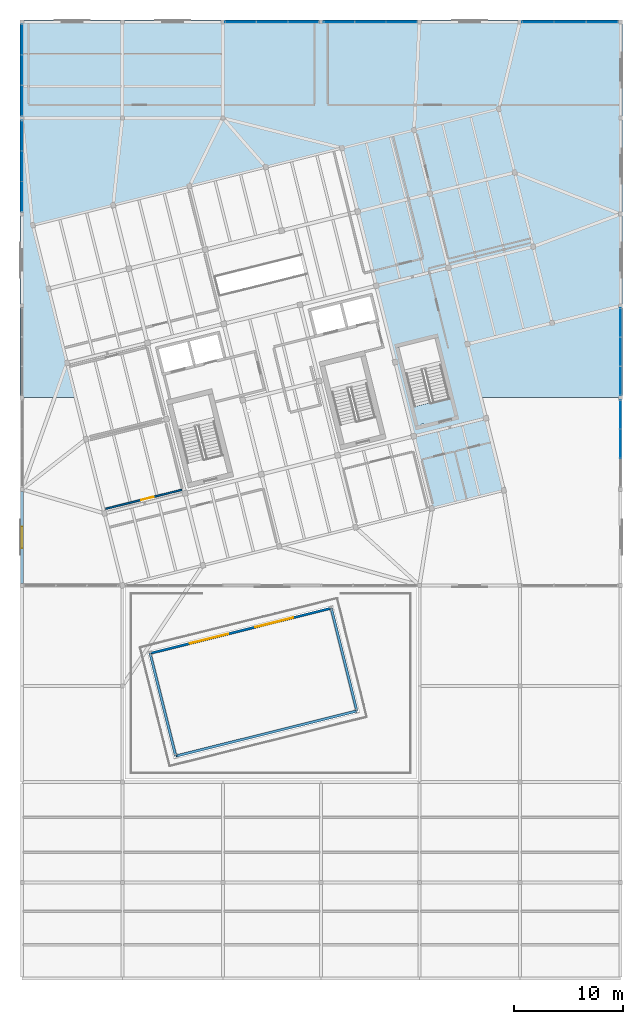
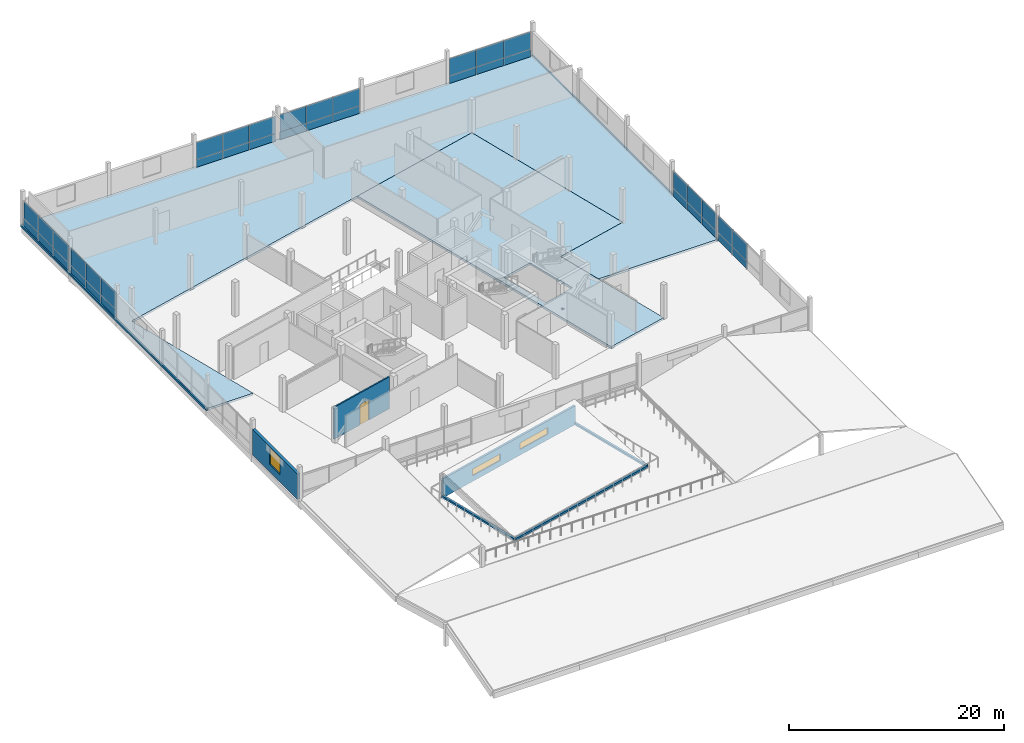
# One storey, part 33 of 39: 40 plates, 6 walls, 4 slabs, 3 windows, 1 door, 4 openings, 7 elements without a shape of their own.
"""IFC4 building model written with IfcOpenShell, lengths in metres."""

import ifcopenshell
import ifcopenshell.guid

model = None  # the IFC model being written
_history = None  # IfcOwnerHistory: only IFC2X3 demands one
_inside = {}  # id of a spatial element -> (the spatial element, [elements in it])
_under = {}  # id of a project, library or spatial element -> (it, [spatial elements below it])
_declared = {}  # id of a project -> (the project, [libraries it declares])
_typed = {}  # id of a type object -> (the type object, [elements of that type])
_made_of = {}  # id of a material, layer set ... -> (it, [elements and type objects made of it])


def new_model(schema):
    """Start an empty IFC model of exactly this schema.

    Asked for "IFC4X3", IfcOpenShell would pick the latest addendum, in which some entities
    have other attributes; the version numbers below select the first issue.
    IFC2X3 requires an IfcOwnerHistory on every rooted entity: one is made here for all.
    """
    global model, _history
    if schema == "IFC4X3":
        model = ifcopenshell.file(schema_version=(4, 3, 0, 0))
    else:
        model = ifcopenshell.file(schema=schema)
    _inside.clear()
    _under.clear()
    _declared.clear()
    _typed.clear()
    _made_of.clear()
    _history = None
    if model.schema == "IFC2X3":
        org = make("IfcOrganization", Name="unknown")
        user = make(
            "IfcPersonAndOrganization",
            ThePerson=make("IfcPerson", FamilyName="unknown"),
            TheOrganization=org,
        )
        app = make(
            "IfcApplication",
            ApplicationDeveloper=org,
            Version="unknown",
            ApplicationFullName="unknown",
            ApplicationIdentifier="unknown",
        )
        _history = make(
            "IfcOwnerHistory",
            OwningUser=user,
            OwningApplication=app,
            ChangeAction="ADDED",
            CreationDate=0,
        )
    return model


def make(cls, **values):
    """One entity of the class cls with the attributes given. An attribute that is None is left unset."""
    return model.create_entity(
        cls, **{name: value for name, value in values.items() if value is not None}
    )


def rooted(cls, **values):
    """An entity with a GlobalId (a new one), such as an element, a storey or a relation."""
    return make(cls, GlobalId=ifcopenshell.guid.new(), OwnerHistory=_history, **values)


def si_unit(unit_type, name, prefix=None):
    """IfcSIUnit, for example si_unit("LENGTHUNIT", "METRE", prefix="MILLI")."""
    return make("IfcSIUnit", UnitType=unit_type, Prefix=prefix, Name=name)


def assignment(units):
    """IfcUnitAssignment: the units of a project."""
    return None if units is None else make("IfcUnitAssignment", Units=units)


def point(xyz):
    """IfcCartesianPoint."""
    return None if xyz is None else make("IfcCartesianPoint", Coordinates=xyz)


def direction(xyz):
    """IfcDirection."""
    return None if xyz is None else make("IfcDirection", DirectionRatios=xyz)


def frame(location, z_axis=None, x_axis=None):
    """IfcAxis2Placement3D, a coordinate frame: its origin and axes. An axis left out is left unset."""
    return make(
        "IfcAxis2Placement3D",
        Location=point(location),
        Axis=direction(z_axis),
        RefDirection=direction(x_axis),
    )


def frame_2d(location, x_axis=None):
    """IfcAxis2Placement2D, a coordinate frame in the plane: its origin and x axis."""
    return make(
        "IfcAxis2Placement2D", Location=point(location), RefDirection=direction(x_axis)
    )


def origin():
    """The frame at (0, 0, 0) with its axes left unset."""
    return frame((0.0, 0.0, 0.0))


def origin_2d():
    """The frame at (0, 0) in the plane with its x axis left unset."""
    return frame_2d((0.0, 0.0))


def place(relative_to, where):
    """IfcLocalPlacement: puts the frame where relative to a parent placement (None: the world)."""
    return make(
        "IfcLocalPlacement", PlacementRelTo=relative_to, RelativePlacement=where
    )


def context(
    kind, dimensions, precision=None, world=None, true_north=None, identifier=None
):
    """IfcGeometricRepresentationContext, for example the 3D "Model" context."""
    return make(
        "IfcGeometricRepresentationContext",
        ContextIdentifier=identifier,
        ContextType=kind,
        CoordinateSpaceDimension=dimensions,
        Precision=precision,
        WorldCoordinateSystem=world,
        TrueNorth=true_north,
    )


def subcontext(parent, identifier, kind, view, scale=None):
    """IfcGeometricRepresentationSubContext, for example "Body" below "Model"."""
    return make(
        "IfcGeometricRepresentationSubContext",
        ContextIdentifier=identifier,
        ContextType=kind,
        ParentContext=parent,
        TargetScale=scale,
        TargetView=view,
    )


def project(units=None, contexts=None):
    """IfcProject with its units and contexts."""
    return rooted(
        "IfcProject",
        Name="project",
        RepresentationContexts=contexts,
        UnitsInContext=assignment(units),
    )


def spatial(cls, under=None, at=None, **own):
    """A site, building, storey or space (cls), placed at a placement, below another one or the project."""
    s = rooted(cls, ObjectPlacement=at, **own)
    if under is not None:
        _under.setdefault(under.id(), (under, []))[1].append(s)
    return s


def polyline(points):
    """IfcPolyline through the points."""
    return make("IfcPolyline", Points=[point(p) for p in points])


def profile(cls, at=None, kind="AREA", **sizes):
    """A parametric profile (cls). Its sizes go by their IFC names, for example OverallWidth=200.0."""
    return make(cls, ProfileType=kind, Position=at, **sizes)


def rectangle(**sizes):
    """IfcRectangleProfileDef."""
    return profile("IfcRectangleProfileDef", **sizes)


def outline(outer, holes=None, kind="AREA"):
    """IfcArbitraryClosedProfileDef: a profile drawn as a closed curve; with holes, ...WithVoids."""
    if holes is None:
        return make("IfcArbitraryClosedProfileDef", ProfileType=kind, OuterCurve=outer)
    return make(
        "IfcArbitraryProfileDefWithVoids",
        ProfileType=kind,
        OuterCurve=outer,
        InnerCurves=holes,
    )


def extrude(swept, where, along, depth):
    """IfcExtrudedAreaSolid: the profile swept, set in the frame where, extruded along a direction by depth."""
    return make(
        "IfcExtrudedAreaSolid",
        SweptArea=swept,
        Position=where,
        ExtrudedDirection=direction(along),
        Depth=depth,
    )


def shape(context_of_items, identifier, shape_type, items):
    """IfcShapeRepresentation: the items that make up one representation, for example the "Body"."""
    return make(
        "IfcShapeRepresentation",
        ContextOfItems=context_of_items,
        RepresentationIdentifier=identifier,
        RepresentationType=shape_type,
        Items=items,
    )


def material(Name=None, Category=None):
    """IfcMaterial."""
    return make("IfcMaterial", Name=Name, Category=Category)


def layer(
    of_material, thickness, ventilated=None, Name=None, Category=None, Priority=None
):
    """IfcMaterialLayer: one layer of a wall or slab, of a material (None: an air gap)."""
    return make(
        "IfcMaterialLayer",
        Material=of_material,
        LayerThickness=thickness,
        IsVentilated=ventilated,
        Name=Name,
        Category=Category,
        Priority=Priority,
    )


def layer_set(layers, Name=None):
    """IfcMaterialLayerSet."""
    return make("IfcMaterialLayerSet", MaterialLayers=layers, LayerSetName=Name)


def made_of(thing, what):
    """Note that an element or type object is made of a material, layer set ...; save() writes the relation."""
    if what is not None:
        _made_of.setdefault(what.id(), (what, []))[1].append(thing)
    return thing


def type_object(cls, material=None, **own):
    """A type object (cls), such as IfcWallType, which elements share."""
    return made_of(rooted(cls, **own), material)


def element(
    cls,
    number,
    at=None,
    inside=None,
    cuts=None,
    type_object=None,
    material=None,
    context=None,
    identifier="Body",
    shape_type=None,
    held_by="IfcProductDefinitionShape",
    body=None,
    shapes=None,
    **own,
):
    """One element of the class cls, such as IfcWall. Its Tag is "e" and its number.

    at: its placement. inside: the storey or other place that contains it. cuts: it is an
    opening in that element (IfcRelVoidsElement). A single representation is given by context,
    identifier, shape_type and body (its items); several are given by shapes. held_by: the class
    of the entity that holds the representations. save() writes the other relations.
    """
    e = rooted(cls, Tag="e%d" % number, ObjectPlacement=at, **own)
    if body is not None:
        shapes = [shape(context, identifier, shape_type, body)]
    if shapes is not None:
        e.Representation = make(held_by, Representations=shapes)
    if inside is not None:
        _inside.setdefault(inside.id(), (inside, []))[1].append(e)
    if cuts is not None:
        rooted(
            "IfcRelVoidsElement", RelatingBuildingElement=cuts, RelatedOpeningElement=e
        )
    if type_object is not None:
        _typed.setdefault(type_object.id(), (type_object, []))[1].append(e)
    return made_of(e, material)


def fill(opening, filler):
    """IfcRelFillsElement: the door or window that sits in an opening."""
    return rooted(
        "IfcRelFillsElement",
        RelatingOpeningElement=opening,
        RelatedBuildingElement=filler,
    )


def aggregate(whole, parts):
    """IfcRelAggregates: a whole, such as a stair, and the parts it consists of."""
    return rooted("IfcRelAggregates", RelatingObject=whole, RelatedObjects=parts)


def save(model, path):
    """Write the relations noted so far, then the file.

    IfcRelAggregates (storeys below a building ...), IfcRelContainedInSpatialStructure (elements
    in a storey), IfcRelDefinesByType, IfcRelAssociatesMaterial and IfcRelDeclares: one each for
    every whole, place, type object, material and project.
    """
    for whole, parts in _under.values():
        aggregate(whole, parts)
    for where, things in _inside.values():
        rooted(
            "IfcRelContainedInSpatialStructure",
            RelatedElements=things,
            RelatingStructure=where,
        )
    for kind, things in _typed.values():
        rooted("IfcRelDefinesByType", RelatedObjects=things, RelatingType=kind)
    for what, things in _made_of.values():
        rooted("IfcRelAssociatesMaterial", RelatedObjects=things, RelatingMaterial=what)
    for by, libraries in _declared.values():
        rooted("IfcRelDeclares", RelatingContext=by, RelatedDefinitions=libraries)
    model.write(path)


model = new_model("IFC4")

# Units and contexts
model_context = context("Model", 3, precision=1e-05, world=origin(), true_north=direction((0.0, 1.0)))
body_context = subcontext(model_context, "Body", "Model", "MODEL_VIEW")
ifc_project = project(units=[si_unit("LENGTHUNIT", "METRE"), si_unit("AREAUNIT", "SQUARE_METRE"), si_unit("VOLUMEUNIT", "CUBIC_METRE"), si_unit("PLANEANGLEUNIT", "RADIAN"), si_unit("MASSUNIT", "GRAM", prefix="KILO")], contexts=[model_context])

# Site, building, storey
site_placement = place(None, origin())
site = spatial("IfcSite", under=ifc_project, at=site_placement, CompositionType="ELEMENT")
building_placement = place(site_placement, origin())
building = spatial("IfcBuilding", under=site, at=building_placement, Name="Meriwether Solvik Hall", CompositionType="ELEMENT")
storey_placement = place(building_placement, frame((0.0, 0.0, 22.199951171875)))
storey = spatial("IfcBuildingStorey", under=building, at=storey_placement, Name="L05", CompositionType="ELEMENT", Elevation=22.199951171875)

# Curtain wall, plates
ifc_material_1 = material(Name="Thermally Broken Anodised Aluminium 6063-T6 and Low-E Glass", Category="aluminium")
ifc_layer_1 = layer(ifc_material_1, 0.179931640625)
ifc_layer_set_1 = layer_set([ifc_layer_1], Name="Thermally Broken Anodised Aluminium 6063-T6 and Low-E Glass")
curtain_wall_type = type_object("IfcCurtainWallType", Name="CW-UNIT-E", PredefinedType="USERDEFINED", material=ifc_layer_set_1)
curtain_wall_1_placement = place(storey_placement, origin())
curtain_wall_1 = element("IfcCurtainWall", 1, at=curtain_wall_1_placement, inside=storey, type_object=curtain_wall_type, Name="Curtain Wall wing_XK_9_8 (L05)", ObjectType="UNITISED CURTAIN WALL", PredefinedType="USERDEFINED")
ifc_material_2 = material(Name="Low-Emissivity Double-Glazed Laminated Glass", Category="glass")
ifc_layer_2 = layer(ifc_material_2, 0.031982421875)
ifc_layer_set_2 = layer_set([ifc_layer_2], Name="Low-Emissivity Double-Glazed Laminated Glass")
plate_type_1 = type_object("IfcPlateType", Name="PLT-GLZ-225X195", PredefinedType="CURTAIN_PANEL", material=ifc_layer_set_2)
plate_1_placement = place(storey_placement, frame((79.44873046875, 92.800048828125, 0.864013671875), z_axis=(0.0, 0.0, 1.0), x_axis=(1.0, 0.0, 0.0)))
plate_1 = element("IfcPlate", 2, at=plate_1_placement, type_object=plate_type_1, Name="Low-E Vision Glazing Panel 1", PredefinedType="CURTAIN_PANEL", context=body_context, shape_type="SweptSolid", body=[
    extrude(rectangle(XDim=2.82421875, YDim=0.033935546875, at=origin_2d()), origin(), (0.0, 0.0, 1.0), 1.9560546875),
])
plate_2_placement = place(storey_placement, frame((82.300048828125, 92.800048828125, 0.864013671875), z_axis=(0.0, 0.0, 1.0), x_axis=(1.0, 0.0, 0.0)))
plate_2 = element("IfcPlate", 3, at=plate_2_placement, type_object=plate_type_1, Name="Low-E Vision Glazing Panel 2", PredefinedType="CURTAIN_PANEL", context=body_context, shape_type="SweptSolid", body=[
    extrude(rectangle(XDim=2.8623046875, YDim=0.033935546875, at=origin_2d()), origin(), (0.0, 0.0, 1.0), 1.9560546875),
])
plate_3_placement = place(storey_placement, frame((85.1513671875, 92.800048828125, 0.864013671875), z_axis=(0.0, 0.0, 1.0), x_axis=(1.0, 0.0, 0.0)))
plate_3 = element("IfcPlate", 4, at=plate_3_placement, type_object=plate_type_1, Name="Low-E Vision Glazing Panel 3", PredefinedType="CURTAIN_PANEL", context=body_context, shape_type="SweptSolid", body=[
    extrude(rectangle(XDim=2.82421875, YDim=0.033935546875, at=origin_2d()), origin(), (0.0, 0.0, 1.0), 1.9560546875),
])

curtain_wall_2_placement = place(storey_placement, origin())
curtain_wall_2 = element("IfcCurtainWall", 5, at=curtain_wall_2_placement, inside=storey, type_object=curtain_wall_type, Name="Curtain Wall wing_XK_10_9 (L05)", ObjectType="UNITISED CURTAIN WALL", PredefinedType="USERDEFINED")
plate_4_placement = place(storey_placement, frame((88.44873046875, 92.800048828125, 0.864013671875), z_axis=(0.0, 0.0, 1.0), x_axis=(1.0, 0.0, 0.0)))
plate_4 = element("IfcPlate", 6, at=plate_4_placement, type_object=plate_type_1, Name="Low-E Vision Glazing Panel 1", PredefinedType="CURTAIN_PANEL", context=body_context, shape_type="SweptSolid", body=[
    extrude(rectangle(XDim=2.82421875, YDim=0.033935546875, at=origin_2d()), origin(), (0.0, 0.0, 1.0), 1.9560546875),
])
plate_5_placement = place(storey_placement, frame((91.300048828125, 92.800048828125, 0.864013671875), z_axis=(0.0, 0.0, 1.0), x_axis=(1.0, 0.0, 0.0)))
plate_5 = element("IfcPlate", 7, at=plate_5_placement, type_object=plate_type_1, Name="Low-E Vision Glazing Panel 2", PredefinedType="CURTAIN_PANEL", context=body_context, shape_type="SweptSolid", body=[
    extrude(rectangle(XDim=2.8623046875, YDim=0.033935546875, at=origin_2d()), origin(), (0.0, 0.0, 1.0), 1.9560546875),
])
plate_6_placement = place(storey_placement, frame((94.1513671875, 92.800048828125, 0.864013671875), z_axis=(0.0, 0.0, 1.0), x_axis=(1.0, 0.0, 0.0)))
plate_6 = element("IfcPlate", 8, at=plate_6_placement, type_object=plate_type_1, Name="Low-E Vision Glazing Panel 3", PredefinedType="CURTAIN_PANEL", context=body_context, shape_type="SweptSolid", body=[
    extrude(rectangle(XDim=2.82421875, YDim=0.033935546875, at=origin_2d()), origin(), (0.0, 0.0, 1.0), 1.9560546875),
])

curtain_wall_3_placement = place(storey_placement, origin())
curtain_wall_3 = element("IfcCurtainWall", 9, at=curtain_wall_3_placement, inside=storey, type_object=curtain_wall_type, Name="Curtain Wall wing_XK_12_11 (L05)", ObjectType="UNITISED CURTAIN WALL", PredefinedType="USERDEFINED")
plate_7_placement = place(storey_placement, frame((106.681884765625, 92.800048828125, 0.864013671875), z_axis=(0.0, 0.0, 1.0), x_axis=(1.0, 0.0, 0.0)))
plate_7 = element("IfcPlate", 10, at=plate_7_placement, type_object=plate_type_1, Name="Low-E Vision Glazing Panel 1", PredefinedType="CURTAIN_PANEL", context=body_context, shape_type="SweptSolid", body=[
    extrude(rectangle(XDim=2.89111328125, YDim=0.033935546875, at=origin_2d()), origin(), (0.0, 0.0, 1.0), 1.9560546875),
])
plate_8_placement = place(storey_placement, frame((109.60009765625, 92.800048828125, 0.864013671875), z_axis=(0.0, 0.0, 1.0), x_axis=(1.0, 0.0, 0.0)))
plate_8 = element("IfcPlate", 11, at=plate_8_placement, type_object=plate_type_1, Name="Low-E Vision Glazing Panel 2", PredefinedType="CURTAIN_PANEL", context=body_context, shape_type="SweptSolid", body=[
    extrude(rectangle(XDim=2.928955078125, YDim=0.033935546875, at=origin_2d()), origin(), (0.0, 0.0, 1.0), 1.9560546875),
])
plate_9_placement = place(storey_placement, frame((112.51806640625, 92.800048828125, 0.864013671875), z_axis=(0.0, 0.0, 1.0), x_axis=(1.0, 0.0, 0.0)))
plate_9 = element("IfcPlate", 12, at=plate_9_placement, type_object=plate_type_1, Name="Low-E Vision Glazing Panel 3", PredefinedType="CURTAIN_PANEL", context=body_context, shape_type="SweptSolid", body=[
    extrude(rectangle(XDim=2.89111328125, YDim=0.033935546875, at=origin_2d()), origin(), (0.0, 0.0, 1.0), 1.9560546875),
])

curtain_wall_4_placement = place(storey_placement, origin())
curtain_wall_4 = element("IfcCurtainWall", 13, at=curtain_wall_4_placement, inside=storey, type_object=curtain_wall_type, Name="Curtain Wall wing_Y7_9_16 (L05)", ObjectType="UNITISED CURTAIN WALL", PredefinedType="USERDEFINED")
plate_10_placement = place(storey_placement, frame((59.39990234375, 76.8154296875, 0.864013671875), z_axis=(0.0, 0.0, 1.0), x_axis=(0.0, 1.0, 0.0)))
plate_10 = element("IfcPlate", 14, at=plate_10_placement, type_object=plate_type_1, Name="Low-E Vision Glazing Panel 1", PredefinedType="CURTAIN_PANEL", context=body_context, shape_type="SweptSolid", body=[
    extrude(rectangle(XDim=2.7578125, YDim=0.033935546875, at=origin_2d()), origin(), (0.0, 0.0, 1.0), 1.9560546875),
])
plate_11_placement = place(storey_placement, frame((59.39990234375, 79.60009765625, 0.864013671875), z_axis=(0.0, 0.0, 1.0), x_axis=(0.0, 1.0, 0.0)))
plate_11 = element("IfcPlate", 15, at=plate_11_placement, type_object=plate_type_1, Name="Low-E Vision Glazing Panel 2", PredefinedType="CURTAIN_PANEL", context=body_context, shape_type="SweptSolid", body=[
    extrude(rectangle(XDim=2.795654296875, YDim=0.033935546875, at=origin_2d()), origin(), (0.0, 0.0, 1.0), 1.9560546875),
])
plate_12_placement = place(storey_placement, frame((59.39990234375, 82.384765625, 0.864013671875), z_axis=(0.0, 0.0, 1.0), x_axis=(0.0, 1.0, 0.0)))
plate_12 = element("IfcPlate", 16, at=plate_12_placement, type_object=plate_type_1, Name="Low-E Vision Glazing Panel 3", PredefinedType="CURTAIN_PANEL", context=body_context, shape_type="SweptSolid", body=[
    extrude(rectangle(XDim=2.7578125, YDim=0.033935546875, at=origin_2d()), origin(), (0.0, 0.0, 1.0), 1.9560546875),
])

curtain_wall_5_placement = place(storey_placement, origin())
curtain_wall_5 = element("IfcCurtainWall", 17, at=curtain_wall_5_placement, inside=storey, type_object=curtain_wall_type, Name="Curtain Wall wing_Y7_10_17 (L05)", ObjectType="UNITISED CURTAIN WALL", PredefinedType="USERDEFINED")
plate_13_placement = place(storey_placement, frame((59.39990234375, 85.615234375, 0.864013671875), z_axis=(0.0, 0.0, 1.0), x_axis=(0.0, 1.0, 0.0)))
plate_13 = element("IfcPlate", 18, at=plate_13_placement, type_object=plate_type_1, Name="Low-E Vision Glazing Panel 1", PredefinedType="CURTAIN_PANEL", context=body_context, shape_type="SweptSolid", body=[
    extrude(rectangle(XDim=2.7578125, YDim=0.033935546875, at=origin_2d()), origin(), (0.0, 0.0, 1.0), 1.9560546875),
])
plate_14_placement = place(storey_placement, frame((59.39990234375, 88.39990234375, 0.864013671875), z_axis=(0.0, 0.0, 1.0), x_axis=(0.0, 1.0, 0.0)))
plate_14 = element("IfcPlate", 19, at=plate_14_placement, type_object=plate_type_1, Name="Low-E Vision Glazing Panel 2", PredefinedType="CURTAIN_PANEL", context=body_context, shape_type="SweptSolid", body=[
    extrude(rectangle(XDim=2.795654296875, YDim=0.033935546875, at=origin_2d()), origin(), (0.0, 0.0, 1.0), 1.9560546875),
])
plate_15_placement = place(storey_placement, frame((59.39990234375, 91.1845703125, 0.864013671875), z_axis=(0.0, 0.0, 1.0), x_axis=(0.0, 1.0, 0.0)))
plate_15 = element("IfcPlate", 20, at=plate_15_placement, type_object=plate_type_1, Name="Low-E Vision Glazing Panel 3", PredefinedType="CURTAIN_PANEL", context=body_context, shape_type="SweptSolid", body=[
    extrude(rectangle(XDim=2.7578125, YDim=0.033935546875, at=origin_2d()), origin(), (0.0, 0.0, 1.0), 1.9560546875),
])

curtain_wall_6_placement = place(storey_placement, origin())
curtain_wall_6 = element("IfcCurtainWall", 21, at=curtain_wall_6_placement, inside=storey, type_object=curtain_wall_type, Name="Curtain Wall wing_Y13_6_19 (L05)", ObjectType="UNITISED CURTAIN WALL", PredefinedType="USERDEFINED")
plate_16_placement = place(storey_placement, frame((114.199951171875, 56.851318359375, 0.864013671875), z_axis=(0.0, 0.0, 1.0), x_axis=(0.0, -1.0, 0.0)))
plate_16 = element("IfcPlate", 22, at=plate_16_placement, type_object=plate_type_1, Name="Low-E Vision Glazing Panel 1", PredefinedType="CURTAIN_PANEL", context=body_context, shape_type="SweptSolid", body=[
    extrude(rectangle(XDim=2.624267578125, YDim=0.033935546875, at=origin_2d()), origin(), (0.0, 0.0, 1.0), 1.9560546875),
])
plate_17_placement = place(storey_placement, frame((114.199951171875, 54.199951171875, 0.864013671875), z_axis=(0.0, 0.0, 1.0), x_axis=(0.0, -1.0, 0.0)))
plate_17 = element("IfcPlate", 23, at=plate_17_placement, type_object=plate_type_1, Name="Low-E Vision Glazing Panel 2", PredefinedType="CURTAIN_PANEL", context=body_context, shape_type="SweptSolid", body=[
    extrude(rectangle(XDim=2.662353515625, YDim=0.033935546875, at=origin_2d()), origin(), (0.0, 0.0, 1.0), 1.9560546875),
])

curtain_wall_7_placement = place(storey_placement, origin())
curtain_wall_7 = element("IfcCurtainWall", 24, at=curtain_wall_7_placement, inside=storey, type_object=curtain_wall_type, Name="Curtain Wall wing_Y13_7_20 (L05)", ObjectType="UNITISED CURTAIN WALL", PredefinedType="USERDEFINED")
plate_18_placement = place(storey_placement, frame((114.199951171875, 65.251220703125, 0.864013671875), z_axis=(0.0, 0.0, 1.0), x_axis=(0.0, -1.0, 0.0)))
plate_18 = element("IfcPlate", 25, at=plate_18_placement, type_object=plate_type_1, Name="Low-E Vision Glazing Panel 1", PredefinedType="CURTAIN_PANEL", context=body_context, shape_type="SweptSolid", body=[
    extrude(rectangle(XDim=2.624267578125, YDim=0.033935546875, at=origin_2d()), origin(), (0.0, 0.0, 1.0), 1.9560546875),
])
plate_19_placement = place(storey_placement, frame((114.199951171875, 62.60009765625, 0.864013671875), z_axis=(0.0, 0.0, 1.0), x_axis=(0.0, -1.0, 0.0)))
plate_19 = element("IfcPlate", 26, at=plate_19_placement, type_object=plate_type_1, Name="Low-E Vision Glazing Panel 2", PredefinedType="CURTAIN_PANEL", context=body_context, shape_type="SweptSolid", body=[
    extrude(rectangle(XDim=2.662353515625, YDim=0.033935546875, at=origin_2d()), origin(), (0.0, 0.0, 1.0), 1.9560546875),
])
plate_20_placement = place(storey_placement, frame((114.199951171875, 59.94873046875, 0.864013671875), z_axis=(0.0, 0.0, 1.0), x_axis=(0.0, -1.0, 0.0)))
plate_20 = element("IfcPlate", 27, at=plate_20_placement, type_object=plate_type_1, Name="Low-E Vision Glazing Panel 3", PredefinedType="CURTAIN_PANEL", context=body_context, shape_type="SweptSolid", body=[
    extrude(rectangle(XDim=2.624267578125, YDim=0.033935546875, at=origin_2d()), origin(), (0.0, 0.0, 1.0), 1.9560546875),
])

# Plate
ifc_material_3 = material(Name="Mineral-Wool Insulated Anodised Aluminium 6063-T6", Category="aluminium")
ifc_layer_3 = layer(ifc_material_3, 0.044921875)
ifc_layer_set_3 = layer_set([ifc_layer_3], Name="Mineral-Wool Insulated Anodised Aluminium 6063-T6")
plate_type_2 = type_object("IfcPlateType", Name="PLT-SPN-225X085", PredefinedType="CURTAIN_PANEL", material=ifc_layer_set_3)
plate_21_placement = place(storey_placement, frame((79.44873046875, 92.800048828125, 0.0), z_axis=(0.0, 0.0, 1.0), x_axis=(1.0, 0.0, 0.0)))
plate_21 = element("IfcPlate", 28, at=plate_21_placement, type_object=plate_type_2, Name="Insulated Spandrel Panel 1", PredefinedType="CURTAIN_PANEL", context=body_context, shape_type="SweptSolid", body=[
    extrude(rectangle(XDim=2.82421875, YDim=0.044921875, at=origin_2d()), origin(), (0.0, 0.0, 1.0), 0.864013671875),
])

plate_22_placement = place(storey_placement, frame((82.300048828125, 92.800048828125, 0.0), z_axis=(0.0, 0.0, 1.0), x_axis=(1.0, 0.0, 0.0)))
plate_22 = element("IfcPlate", 29, at=plate_22_placement, type_object=plate_type_2, Name="Insulated Spandrel Panel 2", PredefinedType="CURTAIN_PANEL", context=body_context, shape_type="SweptSolid", body=[
    extrude(rectangle(XDim=2.8623046875, YDim=0.044921875, at=origin_2d()), origin(), (0.0, 0.0, 1.0), 0.864013671875),
])

plate_23_placement = place(storey_placement, frame((85.1513671875, 92.800048828125, 0.0), z_axis=(0.0, 0.0, 1.0), x_axis=(1.0, 0.0, 0.0)))
plate_23 = element("IfcPlate", 30, at=plate_23_placement, type_object=plate_type_2, Name="Insulated Spandrel Panel 3", PredefinedType="CURTAIN_PANEL", context=body_context, shape_type="SweptSolid", body=[
    extrude(rectangle(XDim=2.82421875, YDim=0.044921875, at=origin_2d()), origin(), (0.0, 0.0, 1.0), 0.864013671875),
])

aggregate(curtain_wall_1, [plate_21, plate_1, plate_22, plate_2, plate_23, plate_3])

plate_24_placement = place(storey_placement, frame((88.44873046875, 92.800048828125, 0.0), z_axis=(0.0, 0.0, 1.0), x_axis=(1.0, 0.0, 0.0)))
plate_24 = element("IfcPlate", 31, at=plate_24_placement, type_object=plate_type_2, Name="Insulated Spandrel Panel 1", PredefinedType="CURTAIN_PANEL", context=body_context, shape_type="SweptSolid", body=[
    extrude(rectangle(XDim=2.82421875, YDim=0.044921875, at=origin_2d()), origin(), (0.0, 0.0, 1.0), 0.864013671875),
])

plate_25_placement = place(storey_placement, frame((91.300048828125, 92.800048828125, 0.0), z_axis=(0.0, 0.0, 1.0), x_axis=(1.0, 0.0, 0.0)))
plate_25 = element("IfcPlate", 32, at=plate_25_placement, type_object=plate_type_2, Name="Insulated Spandrel Panel 2", PredefinedType="CURTAIN_PANEL", context=body_context, shape_type="SweptSolid", body=[
    extrude(rectangle(XDim=2.8623046875, YDim=0.044921875, at=origin_2d()), origin(), (0.0, 0.0, 1.0), 0.864013671875),
])

plate_26_placement = place(storey_placement, frame((94.1513671875, 92.800048828125, 0.0), z_axis=(0.0, 0.0, 1.0), x_axis=(1.0, 0.0, 0.0)))
plate_26 = element("IfcPlate", 33, at=plate_26_placement, type_object=plate_type_2, Name="Insulated Spandrel Panel 3", PredefinedType="CURTAIN_PANEL", context=body_context, shape_type="SweptSolid", body=[
    extrude(rectangle(XDim=2.82421875, YDim=0.044921875, at=origin_2d()), origin(), (0.0, 0.0, 1.0), 0.864013671875),
])

aggregate(curtain_wall_2, [plate_24, plate_4, plate_25, plate_5, plate_26, plate_6])

plate_27_placement = place(storey_placement, frame((106.681884765625, 92.800048828125, 0.0), z_axis=(0.0, 0.0, 1.0), x_axis=(1.0, 0.0, 0.0)))
plate_27 = element("IfcPlate", 34, at=plate_27_placement, type_object=plate_type_2, Name="Insulated Spandrel Panel 1", PredefinedType="CURTAIN_PANEL", context=body_context, shape_type="SweptSolid", body=[
    extrude(rectangle(XDim=2.89111328125, YDim=0.044921875, at=origin_2d()), origin(), (0.0, 0.0, 1.0), 0.864013671875),
])

plate_28_placement = place(storey_placement, frame((109.60009765625, 92.800048828125, 0.0), z_axis=(0.0, 0.0, 1.0), x_axis=(1.0, 0.0, 0.0)))
plate_28 = element("IfcPlate", 35, at=plate_28_placement, type_object=plate_type_2, Name="Insulated Spandrel Panel 2", PredefinedType="CURTAIN_PANEL", context=body_context, shape_type="SweptSolid", body=[
    extrude(rectangle(XDim=2.928955078125, YDim=0.044921875, at=origin_2d()), origin(), (0.0, 0.0, 1.0), 0.864013671875),
])

plate_29_placement = place(storey_placement, frame((112.51806640625, 92.800048828125, 0.0), z_axis=(0.0, 0.0, 1.0), x_axis=(1.0, 0.0, 0.0)))
plate_29 = element("IfcPlate", 36, at=plate_29_placement, type_object=plate_type_2, Name="Insulated Spandrel Panel 3", PredefinedType="CURTAIN_PANEL", context=body_context, shape_type="SweptSolid", body=[
    extrude(rectangle(XDim=2.89111328125, YDim=0.044921875, at=origin_2d()), origin(), (0.0, 0.0, 1.0), 0.864013671875),
])

aggregate(curtain_wall_3, [plate_27, plate_7, plate_28, plate_8, plate_29, plate_9])

plate_30_placement = place(storey_placement, frame((59.39990234375, 76.8154296875, 0.0), z_axis=(0.0, 0.0, 1.0), x_axis=(0.0, 1.0, 0.0)))
plate_30 = element("IfcPlate", 37, at=plate_30_placement, type_object=plate_type_2, Name="Insulated Spandrel Panel 1", PredefinedType="CURTAIN_PANEL", context=body_context, shape_type="SweptSolid", body=[
    extrude(rectangle(XDim=2.7578125, YDim=0.044921875, at=origin_2d()), origin(), (0.0, 0.0, 1.0), 0.864013671875),
])

plate_31_placement = place(storey_placement, frame((59.39990234375, 79.60009765625, 0.0), z_axis=(0.0, 0.0, 1.0), x_axis=(0.0, 1.0, 0.0)))
plate_31 = element("IfcPlate", 38, at=plate_31_placement, type_object=plate_type_2, Name="Insulated Spandrel Panel 2", PredefinedType="CURTAIN_PANEL", context=body_context, shape_type="SweptSolid", body=[
    extrude(rectangle(XDim=2.795654296875, YDim=0.044921875, at=origin_2d()), origin(), (0.0, 0.0, 1.0), 0.864013671875),
])

plate_32_placement = place(storey_placement, frame((59.39990234375, 82.384765625, 0.0), z_axis=(0.0, 0.0, 1.0), x_axis=(0.0, 1.0, 0.0)))
plate_32 = element("IfcPlate", 39, at=plate_32_placement, type_object=plate_type_2, Name="Insulated Spandrel Panel 3", PredefinedType="CURTAIN_PANEL", context=body_context, shape_type="SweptSolid", body=[
    extrude(rectangle(XDim=2.7578125, YDim=0.044921875, at=origin_2d()), origin(), (0.0, 0.0, 1.0), 0.864013671875),
])

aggregate(curtain_wall_4, [plate_30, plate_10, plate_31, plate_11, plate_32, plate_12])

plate_33_placement = place(storey_placement, frame((59.39990234375, 85.615234375, 0.0), z_axis=(0.0, 0.0, 1.0), x_axis=(0.0, 1.0, 0.0)))
plate_33 = element("IfcPlate", 40, at=plate_33_placement, type_object=plate_type_2, Name="Insulated Spandrel Panel 1", PredefinedType="CURTAIN_PANEL", context=body_context, shape_type="SweptSolid", body=[
    extrude(rectangle(XDim=2.7578125, YDim=0.044921875, at=origin_2d()), origin(), (0.0, 0.0, 1.0), 0.864013671875),
])

plate_34_placement = place(storey_placement, frame((59.39990234375, 88.39990234375, 0.0), z_axis=(0.0, 0.0, 1.0), x_axis=(0.0, 1.0, 0.0)))
plate_34 = element("IfcPlate", 41, at=plate_34_placement, type_object=plate_type_2, Name="Insulated Spandrel Panel 2", PredefinedType="CURTAIN_PANEL", context=body_context, shape_type="SweptSolid", body=[
    extrude(rectangle(XDim=2.795654296875, YDim=0.044921875, at=origin_2d()), origin(), (0.0, 0.0, 1.0), 0.864013671875),
])

plate_35_placement = place(storey_placement, frame((59.39990234375, 91.1845703125, 0.0), z_axis=(0.0, 0.0, 1.0), x_axis=(0.0, 1.0, 0.0)))
plate_35 = element("IfcPlate", 42, at=plate_35_placement, type_object=plate_type_2, Name="Insulated Spandrel Panel 3", PredefinedType="CURTAIN_PANEL", context=body_context, shape_type="SweptSolid", body=[
    extrude(rectangle(XDim=2.7578125, YDim=0.044921875, at=origin_2d()), origin(), (0.0, 0.0, 1.0), 0.864013671875),
])

aggregate(curtain_wall_5, [plate_33, plate_13, plate_34, plate_14, plate_35, plate_15])

plate_36_placement = place(storey_placement, frame((114.199951171875, 56.851318359375, 0.0), z_axis=(0.0, 0.0, 1.0), x_axis=(0.0, -1.0, 0.0)))
plate_36 = element("IfcPlate", 43, at=plate_36_placement, type_object=plate_type_2, Name="Insulated Spandrel Panel 1", PredefinedType="CURTAIN_PANEL", context=body_context, shape_type="SweptSolid", body=[
    extrude(rectangle(XDim=2.624267578125, YDim=0.044921875, at=origin_2d()), origin(), (0.0, 0.0, 1.0), 0.864013671875),
])

plate_37_placement = place(storey_placement, frame((114.199951171875, 54.199951171875, 0.0), z_axis=(0.0, 0.0, 1.0), x_axis=(0.0, -1.0, 0.0)))
plate_37 = element("IfcPlate", 44, at=plate_37_placement, type_object=plate_type_2, Name="Insulated Spandrel Panel 2", PredefinedType="CURTAIN_PANEL", context=body_context, shape_type="SweptSolid", body=[
    extrude(rectangle(XDim=2.662353515625, YDim=0.044921875, at=origin_2d()), origin(), (0.0, 0.0, 1.0), 0.864013671875),
])

aggregate(curtain_wall_6, [plate_36, plate_16, plate_37, plate_17])

plate_38_placement = place(storey_placement, frame((114.199951171875, 65.251220703125, 0.0), z_axis=(0.0, 0.0, 1.0), x_axis=(0.0, -1.0, 0.0)))
plate_38 = element("IfcPlate", 45, at=plate_38_placement, type_object=plate_type_2, Name="Insulated Spandrel Panel 1", PredefinedType="CURTAIN_PANEL", context=body_context, shape_type="SweptSolid", body=[
    extrude(rectangle(XDim=2.624267578125, YDim=0.044921875, at=origin_2d()), origin(), (0.0, 0.0, 1.0), 0.864013671875),
])

plate_39_placement = place(storey_placement, frame((114.199951171875, 62.60009765625, 0.0), z_axis=(0.0, 0.0, 1.0), x_axis=(0.0, -1.0, 0.0)))
plate_39 = element("IfcPlate", 46, at=plate_39_placement, type_object=plate_type_2, Name="Insulated Spandrel Panel 2", PredefinedType="CURTAIN_PANEL", context=body_context, shape_type="SweptSolid", body=[
    extrude(rectangle(XDim=2.662353515625, YDim=0.044921875, at=origin_2d()), origin(), (0.0, 0.0, 1.0), 0.864013671875),
])

plate_40_placement = place(storey_placement, frame((114.199951171875, 59.94873046875, 0.0), z_axis=(0.0, 0.0, 1.0), x_axis=(0.0, -1.0, 0.0)))
plate_40 = element("IfcPlate", 47, at=plate_40_placement, type_object=plate_type_2, Name="Insulated Spandrel Panel 3", PredefinedType="CURTAIN_PANEL", context=body_context, shape_type="SweptSolid", body=[
    extrude(rectangle(XDim=2.624267578125, YDim=0.044921875, at=origin_2d()), origin(), (0.0, 0.0, 1.0), 0.864013671875),
])

aggregate(curtain_wall_7, [plate_38, plate_18, plate_39, plate_19, plate_40, plate_20])

# Slabs
ifc_material_4 = material(Name="Cross-Laminated Timber PRG 320 E1", Category="wood")
ifc_layer_4 = layer(ifc_material_4, 0.2451171875)
ifc_layer_set_4 = layer_set([ifc_layer_4], Name="Cross-Laminated Timber PRG 320 E1")
slab_type = type_object("IfcSlabType", Name="SLB-CLT-245", PredefinedType="FLOOR", material=ifc_layer_set_4)
slab_1_placement = place(storey_placement, frame((0.0, 0.0, -0.244873046875)))
element("IfcSlab", 48, at=slab_1_placement, inside=storey, type_object=slab_type, Name="L05 Structural Slab Zone 2", PredefinedType="FLOOR", context=body_context, shape_type="SweptSolid", body=[
    extrude(outline(polyline([(59.239990234375, 58.403076171875), (59.239990234375, 92.9599609375), (59.39697265625, 92.9599609375), (59.39697265625, 58.403076171875), (59.239990234375, 58.403076171875)])), origin(), (0.0, 0.0, 1.0), 0.244873046875),
])
slab_2_placement = place(storey_placement, frame((0.0, 0.0, -0.244873046875)))
element("IfcSlab", 49, at=slab_2_placement, inside=storey, type_object=slab_type, Name="L05 Structural Slab Zone 4", PredefinedType="FLOOR", context=body_context, shape_type="SweptSolid", body=[
    extrude(outline(polyline([(101.413818359375, 58.403076171875), (100.193359375, 63.298583984375), (107.955810546875, 65.23388671875), (103.068359375, 84.8359375), (60.37353515625, 74.190673828125), (64.309814453125, 58.403076171875), (59.403076171875, 58.403076171875), (59.403076171875, 92.9599609375), (114.197021484375, 92.9599609375), (114.197021484375, 58.403076171875), (101.413818359375, 58.403076171875)])), origin(), (0.0, 0.0, 1.0), 0.244873046875),
])
slab_3_placement = place(storey_placement, frame((0.0, 0.0, -0.244873046875)))
element("IfcSlab", 50, at=slab_3_placement, inside=storey, type_object=slab_type, Name="L05 Structural Slab Zone 6", PredefinedType="FLOOR", context=body_context, shape_type="SweptSolid", body=[
    extrude(outline(polyline([(114.202880859375, 92.9599609375), (114.360107421875, 92.9599609375), (114.360107421875, 58.403076171875), (114.202880859375, 58.403076171875), (114.202880859375, 92.9599609375)])), origin(), (0.0, 0.0, 1.0), 0.244873046875),
])
slab_4_placement = place(storey_placement, frame((0.0, 0.0, -0.244873046875)))
element("IfcSlab", 51, at=slab_4_placement, inside=storey, type_object=slab_type, Name="L05 Mass-Timber CLT Floor E", PredefinedType="FLOOR", context=body_context, shape_type="SweptSolid", body=[
    extrude(outline(polyline([(103.067626953125, 84.834716796875), (107.95458984375, 65.234619140625), (100.192138671875, 63.29931640625), (103.53076171875, 49.9091796875), (96.935546875, 48.264892578125), (88.710205078125, 81.2548828125), (103.067626953125, 84.834716796875)]), holes=[polyline([(95.943115234375, 55.953125), (96.003662109375, 55.71044921875), (96.24609375, 55.77099609375), (96.185791015625, 56.013671875), (95.943115234375, 55.953125)]), polyline([(97.221435546875, 63.846923828125), (93.92236328125, 63.0244140625), (95.284912109375, 57.5595703125), (98.583984375, 58.382080078125), (97.221435546875, 63.846923828125)])]), origin(), (0.0, 0.0, 1.0), 0.244873046875),
])

# Wall, opening, window
ifc_material_5 = material(Name="Cross-Laminated Timber and Mineral-Wool Insulation", Category="wood")
ifc_layer_5 = layer(ifc_material_5, 0.2900390625)
ifc_layer_set_5 = layer_set([ifc_layer_5], Name="Cross-Laminated Timber and Mineral-Wool Insulation")
wall_type_1 = type_object("IfcWallType", Name="WALL-EXT-290", PredefinedType="SOLIDWALL", material=ifc_layer_set_5)
wall_1_placement = place(storey_placement, frame((59.39990234375, 41.39453125, 0.0), z_axis=(0.0, 0.0, 1.0), x_axis=(0.0, 1.0, 0.0)))
wall_1 = element("IfcWall", 52, at=wall_1_placement, inside=storey, type_object=wall_type_1, Name="L05 W Wing Facade Wall Y7_5_12", PredefinedType="SOLIDWALL", context=body_context, shape_type="SweptSolid", body=[
    extrude(rectangle(XDim=8.410888671875, YDim=0.2900390625, at=frame_2d((4.20556640625, 0.0))), origin(), (0.0, 0.0, 1.0), 2.880126953125),
])
opening_1_placement = place(wall_1_placement, frame((3.23046875, 0.0, 0.85009765625)))
opening_1 = element("IfcOpeningElement", 53, at=opening_1_placement, cuts=wall_1, Name="Opening WN-158", PredefinedType="OPENING", context=body_context, shape_type="SweptSolid", body=[
    extrude(rectangle(XDim=1.949951171875, YDim=1.89990234375, at=frame_2d((0.97509765625, 0.949951171875))), frame((0.0, 0.156982421875, 0.0), z_axis=(0.0, -1.0, 0.0), x_axis=(1.0, 0.0, 0.0)), (0.0, 0.0, 1.0), 0.31396484375),
])
ifc_material_6 = material(Name="Thermally Broken Anodised Aluminium and Triple Low-E Glass", Category="aluminium")
window_type_1 = type_object("IfcWindowType", Name="WIN-TW-LOW-195X190", PartitioningType="SINGLE_PANEL", PredefinedType="WINDOW", material=ifc_material_6)
window_1_placement = place(opening_1_placement, origin())
window_1 = element("IfcWindow", 54, at=window_1_placement, inside=storey, type_object=window_type_1, Name="L05 W Window Y7_5_12", OverallHeight=1.89990234375, OverallWidth=1.949951171875, PartitioningType="SINGLE_PANEL", PredefinedType="WINDOW", context=body_context, shape_type="SweptSolid", body=[
    extrude(rectangle(XDim=1.949951171875, YDim=1.89990234375, at=frame_2d((0.97509765625, 0.949951171875))), frame((0.0, 0.030029296875, 0.0), z_axis=(0.0, -1.0, 0.0), x_axis=(1.0, 0.0, 0.0)), (0.0, 0.0, 1.0), 0.06005859375),
])
fill(opening_1, window_1)

# Walls
ifc_material_7 = material(Name="Cross-Laminated Timber and Polyisocyanurate Insulation", Category="wood")
ifc_layer_6 = layer(ifc_material_7, 0.22998046875)
ifc_layer_set_6 = layer_set([ifc_layer_6], Name="Cross-Laminated Timber and Polyisocyanurate Insulation")
wall_type_2 = type_object("IfcWallType", Name="WALL-MON-230", PredefinedType="SOLIDWALL", material=ifc_layer_set_6)
wall_2_placement = place(storey_placement, frame((90.0693359375, 29.702392578125, 0.0), z_axis=(0.0, 0.0, 1.0), x_axis=(-0.970294320027, -0.241927535687, 0.0)))
element("IfcWall", 55, at=wall_2_placement, inside=storey, type_object=wall_type_2, Name="Atrium Skylight Monitor Wall 1", PredefinedType="SOLIDWALL", context=body_context, shape_type="SweptSolid", body=[
    extrude(rectangle(XDim=17.10009765625, YDim=0.22998046875, at=frame_2d((8.550048828125, 0.0))), origin(), (0.0, 0.0, 1.0), 0.219970703125),
])
wall_3_placement = place(storey_placement, frame((87.72265625, 39.1142578125, 0.0), z_axis=(0.0, 0.0, 1.0), x_axis=(0.241925596033, -0.970294803647, 0.0)))
element("IfcWall", 56, at=wall_3_placement, inside=storey, type_object=wall_type_2, Name="Atrium Skylight Monitor Wall 2", PredefinedType="SOLIDWALL", context=body_context, shape_type="SweptSolid", body=[
    extrude(rectangle(XDim=9.699951171875, YDim=0.22998046875, at=frame_2d((4.85009765625, 0.0))), origin(), (0.0, 0.0, 1.0), 0.219970703125),
])

# Wall, openings, windows
wall_4_placement = place(storey_placement, frame((71.130615234375, 34.977294921875, 0.0), z_axis=(0.0, 0.0, 1.0), x_axis=(0.970294320027, 0.241927535687, 0.0)))
wall_4 = element("IfcWall", 57, at=wall_4_placement, inside=storey, type_object=wall_type_2, Name="Atrium Skylight Monitor Wall 3", PredefinedType="SOLIDWALL", context=body_context, shape_type="SweptSolid", body=[
    extrude(rectangle(XDim=17.10009765625, YDim=0.22998046875, at=frame_2d((8.550048828125, 0.0))), origin(), (0.0, 0.0, 1.0), 2.14306640625),
])
opening_2_placement = place(wall_4_placement, frame((3.761962890625, 0.0, 0.64990234375)))
opening_2 = element("IfcOpeningElement", 58, at=opening_2_placement, cuts=wall_4, Name="Opening SK-130", PredefinedType="OPENING", context=body_context, shape_type="SweptSolid", body=[
    extrude(rectangle(XDim=3.60009765625, YDim=0.75, at=frame_2d((1.800048828125, 0.375))), frame((0.0, 0.126953125, 0.0), z_axis=(0.0, -1.0, 0.0), x_axis=(1.0, 0.0, 0.0)), (0.0, 0.0, 1.0), 0.25390625),
])
opening_3_placement = place(wall_4_placement, frame((9.91796875, 0.0, 0.64990234375)))
opening_3 = element("IfcOpeningElement", 59, at=opening_3_placement, cuts=wall_4, Name="Opening SK-130", PredefinedType="OPENING", context=body_context, shape_type="SweptSolid", body=[
    extrude(rectangle(XDim=3.60009765625, YDim=0.75, at=frame_2d((1.800048828125, 0.375))), frame((0.0, 0.126953125, 0.0), z_axis=(0.0, -1.0, 0.0), x_axis=(1.0, 0.0, 0.0)), (0.0, 0.0, 1.0), 0.25390625),
])
ifc_material_8 = material(Name="Thermally Broken Anodised Aluminium and Triple Low-E Glass", Category="aluminium")
window_type_2 = type_object("IfcWindowType", Name="SKY-MON-360X075", PartitioningType="SINGLE_PANEL", PredefinedType="SKYLIGHT", material=ifc_material_8)
window_2_placement = place(opening_2_placement, origin())
window_2 = element("IfcWindow", 60, at=window_2_placement, inside=storey, type_object=window_type_2, Name="Atrium Monitor Skylight 1", OverallHeight=0.75, OverallWidth=3.60009765625, PartitioningType="SINGLE_PANEL", PredefinedType="SKYLIGHT", context=body_context, shape_type="SweptSolid", body=[
    extrude(rectangle(XDim=3.60009765625, YDim=0.75, at=frame_2d((1.800048828125, 0.375))), frame((0.0, 0.030029296875, 0.0), z_axis=(0.0, -1.0, 0.0), x_axis=(1.0, 0.0, 0.0)), (0.0, 0.0, 1.0), 0.06005859375),
])
fill(opening_2, window_2)
window_3_placement = place(opening_3_placement, origin())
window_3 = element("IfcWindow", 61, at=window_3_placement, inside=storey, type_object=window_type_2, Name="Atrium Monitor Skylight 2", OverallHeight=0.75, OverallWidth=3.60009765625, PartitioningType="SINGLE_PANEL", PredefinedType="SKYLIGHT", context=body_context, shape_type="SweptSolid", body=[
    extrude(rectangle(XDim=3.60009765625, YDim=0.75, at=frame_2d((1.800048828125, 0.375))), frame((0.0, 0.030029296875, 0.0), z_axis=(0.0, -1.0, 0.0), x_axis=(1.0, 0.0, 0.0)), (0.0, 0.0, 1.0), 0.06005859375),
])
fill(opening_3, window_3)

# Wall
wall_5_placement = place(storey_placement, frame((73.477294921875, 25.5654296875, 0.0), z_axis=(0.0, 0.0, 1.0), x_axis=(-0.241925596033, 0.970294803647, 0.0)))
element("IfcWall", 62, at=wall_5_placement, inside=storey, type_object=wall_type_2, Name="Atrium Skylight Monitor Wall 4", PredefinedType="SOLIDWALL", context=body_context, shape_type="SweptSolid", body=[
    extrude(rectangle(XDim=9.699951171875, YDim=0.22998046875, at=frame_2d((4.85009765625, 0.0))), origin(), (0.0, 0.0, 1.0), 0.219970703125),
])

# Wall, opening, door
ifc_material_9 = material(Name="Gypsum Board Partition", Category="gypsum")
ifc_layer_7 = layer(ifc_material_9, 0.14990234375)
ifc_layer_set_7 = layer_set([ifc_layer_7], Name="Gypsum Board Partition")
wall_type_3 = type_object("IfcWallType", Name="WALL-PART-150", PredefinedType="PARTITIONING", material=ifc_layer_set_7)
wall_6_placement = place(storey_placement, frame((67.07421875, 48.219482421875, 0.0), z_axis=(0.0, 0.0, 1.0), x_axis=(0.970300710949, 0.24190190229, 0.0)))
wall_6 = element("IfcWall", 63, at=wall_6_placement, inside=storey, type_object=wall_type_3, Name="L05 Interior Partition sem_w2_s", PredefinedType="PARTITIONING", context=body_context, shape_type="SweptSolid", body=[
    extrude(rectangle(XDim=7.16162109375, YDim=0.14990234375, at=frame_2d((3.580810546875, 0.0))), origin(), (0.0, 0.0, 1.0), 3.630126953125),
])
opening_4_placement = place(wall_6_placement, frame((3.35009765625, 0.0, 0.0)))
opening_4 = element("IfcOpeningElement", 64, at=opening_4_placement, cuts=wall_6, Name="Opening D-101", PredefinedType="OPENING", context=body_context, shape_type="SweptSolid", body=[
    extrude(rectangle(XDim=1.14990234375, YDim=2.300048828125, at=frame_2d((0.574951171875, 1.14990234375))), frame((0.0, 0.0869140625, 0.0), z_axis=(0.0, -1.0, 0.0), x_axis=(1.0, 0.0, 0.0)), (0.0, 0.0, 1.0), 0.173828125),
])
ifc_material_10 = material(Name="Laminated Vision Glass and Solid White Oak Timber", Category="wood")
door_type = type_object("IfcDoorType", Name="DR-SEM-1150R", OperationType="SINGLE_SWING_RIGHT", PredefinedType="DOOR", material=ifc_material_10)
door_placement = place(opening_4_placement, origin())
door = element("IfcDoor", 65, at=door_placement, inside=storey, type_object=door_type, Name="L05 Seminar Room 5B Door", OperationType="SINGLE_SWING_RIGHT", OverallHeight=2.300048828125, OverallWidth=1.14990234375, PredefinedType="DOOR", context=body_context, shape_type="SweptSolid", body=[
    extrude(rectangle(XDim=1.14990234375, YDim=2.300048828125, at=frame_2d((0.574951171875, 1.14990234375))), frame((0.0, 0.02490234375, 0.0), z_axis=(0.0, -1.0, 0.0), x_axis=(1.0, 0.0, 0.0)), (0.0, 0.0, 1.0), 0.050048828125),
])
fill(opening_4, door)

save(model, "model.ifc")
